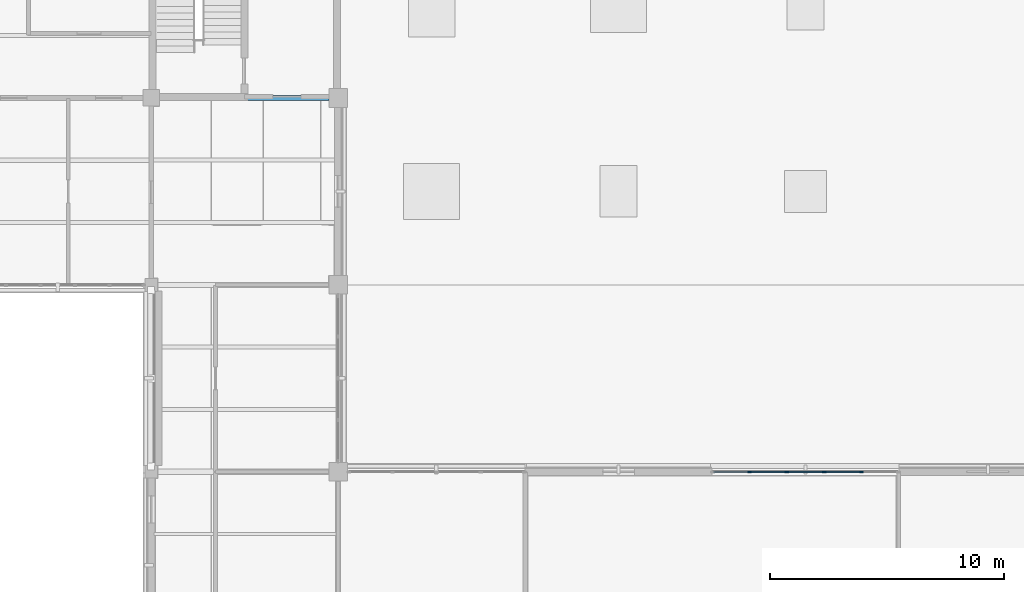
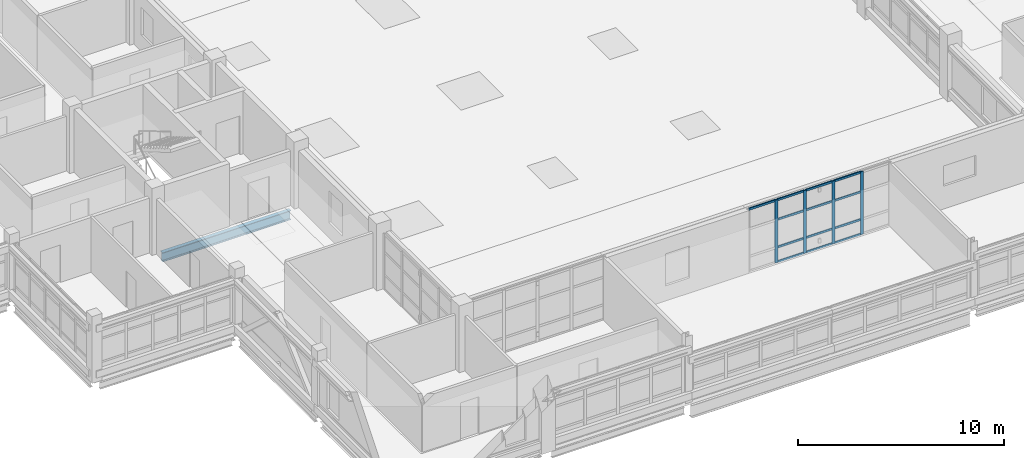
# One storey, part 22 of 107: 17 members, 1 beam, 1 element without a shape of its own.
"""IFC4 building model written with IfcOpenShell, lengths in metres."""

from ifc_helpers import new_model, si_unit, derived_unit, direction, frame, origin, origin_2d, place, context, subcontext, project, spatial, rectangle, i_section, extrude, material, layer, layer_set, material_profile, profile_set, type_object, element, aggregate, save


model = new_model("IFC4")

# Units and contexts
model_context = context("Model", 3, precision=1e-05, world=origin(), true_north=direction((0.0, 1.0)))
body_context = subcontext(model_context, "Body", "Model", "MODEL_VIEW")
ifc_project = project(units=[si_unit("LENGTHUNIT", "METRE"), si_unit("AREAUNIT", "SQUARE_METRE"), si_unit("VOLUMEUNIT", "CUBIC_METRE"), si_unit("PLANEANGLEUNIT", "RADIAN"), si_unit("MASSUNIT", "GRAM", prefix="KILO"), derived_unit("THERMALTRANSMITTANCEUNIT", [(si_unit("MASSUNIT", "GRAM", prefix="KILO"), 1), (si_unit("TIMEUNIT", "SECOND"), -3), (si_unit("THERMODYNAMICTEMPERATUREUNIT", "KELVIN"), -1)])], contexts=[model_context])

# Site, building, storey
site_placement = place(None, origin())
site = spatial("IfcSite", under=ifc_project, at=site_placement, CompositionType="ELEMENT")
building_placement = place(site_placement, origin())
building = spatial("IfcBuilding", under=site, at=building_placement, Name="Veyamyaing Civic Hall", CompositionType="ELEMENT")
storey_placement = place(building_placement, frame((0.0, 0.0, 13.860107421875)))
storey = spatial("IfcBuildingStorey", under=building, at=storey_placement, Name="L03", CompositionType="ELEMENT", Elevation=13.860107421875)

# Beam
ifc_material_1 = material(Name="Steel ASTM A992", Category="steel")
ifc_material_profile_1 = material_profile(ifc_material_1, i_section(OverallWidth=0.214111328125, OverallDepth=0.549072265625, WebThickness=0.0146484375, FlangeThickness=0.023681640625, FilletRadius=0.011962890625, at=origin_2d()), Name="W530X138")
ifc_profile_set_1 = profile_set([ifc_material_profile_1], Name="Steel ASTM A992")
beam_type = type_object("IfcBeamType", Name="B-16", PredefinedType="BEAM", material=ifc_profile_set_1)
beam_placement = place(storey_placement, frame((64.39990234375, 48.0, -0.529541015625), z_axis=(1.0, 0.0, 0.0), x_axis=(0.0, 1.0, 0.0)))
element("IfcBeam", 1, at=beam_placement, inside=storey, type_object=beam_type, Name="Girder B-16 L03 Grid G 9-10", PredefinedType="BEAM", context=body_context, shape_type="SweptSolid", body=[
    extrude(i_section(OverallWidth=0.214111328125, OverallDepth=0.549072265625, WebThickness=0.0146484375, FlangeThickness=0.023681640625, FilletRadius=0.011962890625, at=origin_2d()), origin(), (0.0, 0.0, 1.0), 7.2001953125),
])

# Curtain wall, members
ifc_material_2 = material(Name="Anodised aluminium 6063-T6", Category="aluminium")
ifc_layer = layer(ifc_material_2, 0.159912109375, Name="Anodised aluminium 6063-T6")
ifc_layer_set = layer_set([ifc_layer], Name="Anodised aluminium 6063-T6")
curtain_wall_type = type_object("IfcCurtainWallType", Name="CW-07", PredefinedType="NOTDEFINED", material=ifc_layer_set)
curtain_wall_placement = place(storey_placement, origin())
curtain_wall = element("IfcCurtainWall", 2, at=curtain_wall_placement, inside=storey, type_object=curtain_wall_type, Name="Unitized curtain wall CW-07 L03 N 12.4", PredefinedType="NOTDEFINED")
ifc_material_profile_2 = material_profile(ifc_material_2, rectangle(XDim=0.06494140625, YDim=0.159912109375, at=origin_2d()), Name="ALU-MUL-65X160")
ifc_profile_set_2 = profile_set([ifc_material_profile_2], Name="Anodised aluminium 6063-T6")
member_type_1 = type_object("IfcMemberType", Name="CWM-01", PredefinedType="MULLION", material=ifc_profile_set_2)
member_1_placement = place(storey_placement, frame((89.60009765625, 32.0, 0.0), z_axis=(0.0, 0.0, 1.0), x_axis=(0.0, 1.0, 0.0)))
member_1 = element("IfcMember", 3, at=member_1_placement, type_object=member_type_1, Name="CW-07 mullion 2", PredefinedType="MULLION", context=body_context, shape_type="SweptSolid", body=[
    extrude(rectangle(XDim=0.06494140625, YDim=0.159912109375, at=origin_2d()), origin(), (0.0, 0.0, 1.0), 3.724853515625),
])
member_2_placement = place(storey_placement, frame((91.199951171875, 32.0, 0.0), z_axis=(0.0, 0.0, 1.0), x_axis=(0.0, 1.0, 0.0)))
member_2 = element("IfcMember", 4, at=member_2_placement, type_object=member_type_1, Name="CW-07 mullion 3", PredefinedType="MULLION", context=body_context, shape_type="SweptSolid", body=[
    extrude(rectangle(XDim=0.06494140625, YDim=0.159912109375, at=origin_2d()), origin(), (0.0, 0.0, 1.0), 3.724853515625),
])
member_3_placement = place(storey_placement, frame((92.800048828125, 32.0, 0.0), z_axis=(0.0, 0.0, 1.0), x_axis=(0.0, 1.0, 0.0)))
member_3 = element("IfcMember", 5, at=member_3_placement, type_object=member_type_1, Name="CW-07 mullion 4", PredefinedType="MULLION", context=body_context, shape_type="SweptSolid", body=[
    extrude(rectangle(XDim=0.06494140625, YDim=0.159912109375, at=origin_2d()), origin(), (0.0, 0.0, 1.0), 3.724853515625),
])
member_4_placement = place(storey_placement, frame((94.39990234375, 32.0, 0.0), z_axis=(0.0, 0.0, 1.0), x_axis=(0.0, 1.0, 0.0)))
member_4 = element("IfcMember", 6, at=member_4_placement, type_object=member_type_1, Name="CW-07 mullion 5", PredefinedType="MULLION", context=body_context, shape_type="SweptSolid", body=[
    extrude(rectangle(XDim=0.06494140625, YDim=0.159912109375, at=origin_2d()), origin(), (0.0, 0.0, 1.0), 3.724853515625),
])
ifc_material_profile_3 = material_profile(ifc_material_2, rectangle(XDim=0.06494140625, YDim=0.1201171875, at=origin_2d()), Name="ALU-TRN-65X120")
ifc_profile_set_3 = profile_set([ifc_material_profile_3], Name="Anodised aluminium 6063-T6")
member_type_2 = type_object("IfcMemberType", Name="CWT-01", PredefinedType="USERDEFINED", material=ifc_profile_set_3)
member_5_placement = place(storey_placement, frame((88.06494140625, 32.0, 3.6923828125), z_axis=(1.0, 0.0, 0.0), x_axis=(0.0, 1.0, 0.0)))
member_5 = element("IfcMember", 7, at=member_5_placement, type_object=member_type_2, Name="CW-07 transom 1.4", ObjectType="TRANSOM", PredefinedType="USERDEFINED", context=body_context, shape_type="SweptSolid", body=[
    extrude(rectangle(XDim=0.06494140625, YDim=0.1201171875, at=origin_2d()), origin(), (0.0, 0.0, 1.0), 1.50244140625),
])
member_6_placement = place(storey_placement, frame((89.632568359375, 32.0, 0.032470703125), z_axis=(1.0, 0.0, 0.0), x_axis=(0.0, 1.0, 0.0)))
member_6 = element("IfcMember", 8, at=member_6_placement, type_object=member_type_2, Name="CW-07 transom 2.1", ObjectType="TRANSOM", PredefinedType="USERDEFINED", context=body_context, shape_type="SweptSolid", body=[
    extrude(rectangle(XDim=0.06494140625, YDim=0.1201171875, at=origin_2d()), origin(), (0.0, 0.0, 1.0), 1.534912109375),
])
member_7_placement = place(storey_placement, frame((89.632568359375, 32.0, 0.89990234375), z_axis=(1.0, 0.0, 0.0), x_axis=(0.0, 1.0, 0.0)))
member_7 = element("IfcMember", 9, at=member_7_placement, type_object=member_type_2, Name="CW-07 transom 2.2", ObjectType="TRANSOM", PredefinedType="USERDEFINED", context=body_context, shape_type="SweptSolid", body=[
    extrude(rectangle(XDim=0.06494140625, YDim=0.1201171875, at=origin_2d()), origin(), (0.0, 0.0, 1.0), 1.534912109375),
])
member_8_placement = place(storey_placement, frame((89.632568359375, 32.0, 2.532958984375), z_axis=(1.0, 0.0, 0.0), x_axis=(0.0, 1.0, 0.0)))
member_8 = element("IfcMember", 10, at=member_8_placement, type_object=member_type_2, Name="CW-07 transom 2.3", ObjectType="TRANSOM", PredefinedType="USERDEFINED", context=body_context, shape_type="SweptSolid", body=[
    extrude(rectangle(XDim=0.06494140625, YDim=0.1201171875, at=origin_2d()), origin(), (0.0, 0.0, 1.0), 1.534912109375),
])
member_9_placement = place(storey_placement, frame((89.632568359375, 32.0, 3.6923828125), z_axis=(1.0, 0.0, 0.0), x_axis=(0.0, 1.0, 0.0)))
member_9 = element("IfcMember", 11, at=member_9_placement, type_object=member_type_2, Name="CW-07 transom 2.4", ObjectType="TRANSOM", PredefinedType="USERDEFINED", context=body_context, shape_type="SweptSolid", body=[
    extrude(rectangle(XDim=0.06494140625, YDim=0.1201171875, at=origin_2d()), origin(), (0.0, 0.0, 1.0), 1.534912109375),
])
member_10_placement = place(storey_placement, frame((91.232421875, 32.0, 0.032470703125), z_axis=(1.0, 0.0, 0.0), x_axis=(0.0, 1.0, 0.0)))
member_10 = element("IfcMember", 12, at=member_10_placement, type_object=member_type_2, Name="CW-07 transom 3.1", ObjectType="TRANSOM", PredefinedType="USERDEFINED", context=body_context, shape_type="SweptSolid", body=[
    extrude(rectangle(XDim=0.06494140625, YDim=0.1201171875, at=origin_2d()), origin(), (0.0, 0.0, 1.0), 1.53515625),
])
member_11_placement = place(storey_placement, frame((91.232421875, 32.0, 0.89990234375), z_axis=(1.0, 0.0, 0.0), x_axis=(0.0, 1.0, 0.0)))
member_11 = element("IfcMember", 13, at=member_11_placement, type_object=member_type_2, Name="CW-07 transom 3.2", ObjectType="TRANSOM", PredefinedType="USERDEFINED", context=body_context, shape_type="SweptSolid", body=[
    extrude(rectangle(XDim=0.06494140625, YDim=0.1201171875, at=origin_2d()), origin(), (0.0, 0.0, 1.0), 1.53515625),
])
member_12_placement = place(storey_placement, frame((91.232421875, 32.0, 2.532958984375), z_axis=(1.0, 0.0, 0.0), x_axis=(0.0, 1.0, 0.0)))
member_12 = element("IfcMember", 14, at=member_12_placement, type_object=member_type_2, Name="CW-07 transom 3.3", ObjectType="TRANSOM", PredefinedType="USERDEFINED", context=body_context, shape_type="SweptSolid", body=[
    extrude(rectangle(XDim=0.06494140625, YDim=0.1201171875, at=origin_2d()), origin(), (0.0, 0.0, 1.0), 1.53515625),
])
member_13_placement = place(storey_placement, frame((91.232421875, 32.0, 3.6923828125), z_axis=(1.0, 0.0, 0.0), x_axis=(0.0, 1.0, 0.0)))
member_13 = element("IfcMember", 15, at=member_13_placement, type_object=member_type_2, Name="CW-07 transom 3.4", ObjectType="TRANSOM", PredefinedType="USERDEFINED", context=body_context, shape_type="SweptSolid", body=[
    extrude(rectangle(XDim=0.06494140625, YDim=0.1201171875, at=origin_2d()), origin(), (0.0, 0.0, 1.0), 1.53515625),
])
member_14_placement = place(storey_placement, frame((92.83251953125, 32.0, 0.032470703125), z_axis=(1.0, 0.0, 0.0), x_axis=(0.0, 1.0, 0.0)))
member_14 = element("IfcMember", 16, at=member_14_placement, type_object=member_type_2, Name="CW-07 transom 4.1", ObjectType="TRANSOM", PredefinedType="USERDEFINED", context=body_context, shape_type="SweptSolid", body=[
    extrude(rectangle(XDim=0.06494140625, YDim=0.1201171875, at=origin_2d()), origin(), (0.0, 0.0, 1.0), 1.534912109375),
])
member_15_placement = place(storey_placement, frame((92.83251953125, 32.0, 0.89990234375), z_axis=(1.0, 0.0, 0.0), x_axis=(0.0, 1.0, 0.0)))
member_15 = element("IfcMember", 17, at=member_15_placement, type_object=member_type_2, Name="CW-07 transom 4.2", ObjectType="TRANSOM", PredefinedType="USERDEFINED", context=body_context, shape_type="SweptSolid", body=[
    extrude(rectangle(XDim=0.06494140625, YDim=0.1201171875, at=origin_2d()), origin(), (0.0, 0.0, 1.0), 1.534912109375),
])
member_16_placement = place(storey_placement, frame((92.83251953125, 32.0, 2.532958984375), z_axis=(1.0, 0.0, 0.0), x_axis=(0.0, 1.0, 0.0)))
member_16 = element("IfcMember", 18, at=member_16_placement, type_object=member_type_2, Name="CW-07 transom 4.3", ObjectType="TRANSOM", PredefinedType="USERDEFINED", context=body_context, shape_type="SweptSolid", body=[
    extrude(rectangle(XDim=0.06494140625, YDim=0.1201171875, at=origin_2d()), origin(), (0.0, 0.0, 1.0), 1.534912109375),
])
member_17_placement = place(storey_placement, frame((92.83251953125, 32.0, 3.6923828125), z_axis=(1.0, 0.0, 0.0), x_axis=(0.0, 1.0, 0.0)))
member_17 = element("IfcMember", 19, at=member_17_placement, type_object=member_type_2, Name="CW-07 transom 4.4", ObjectType="TRANSOM", PredefinedType="USERDEFINED", context=body_context, shape_type="SweptSolid", body=[
    extrude(rectangle(XDim=0.06494140625, YDim=0.1201171875, at=origin_2d()), origin(), (0.0, 0.0, 1.0), 1.534912109375),
])
aggregate(curtain_wall, [member_1, member_2, member_3, member_4, member_5, member_6, member_7, member_8, member_9, member_10, member_11, member_12, member_13, member_14, member_15, member_16, member_17])

save(model, "model.ifc")
